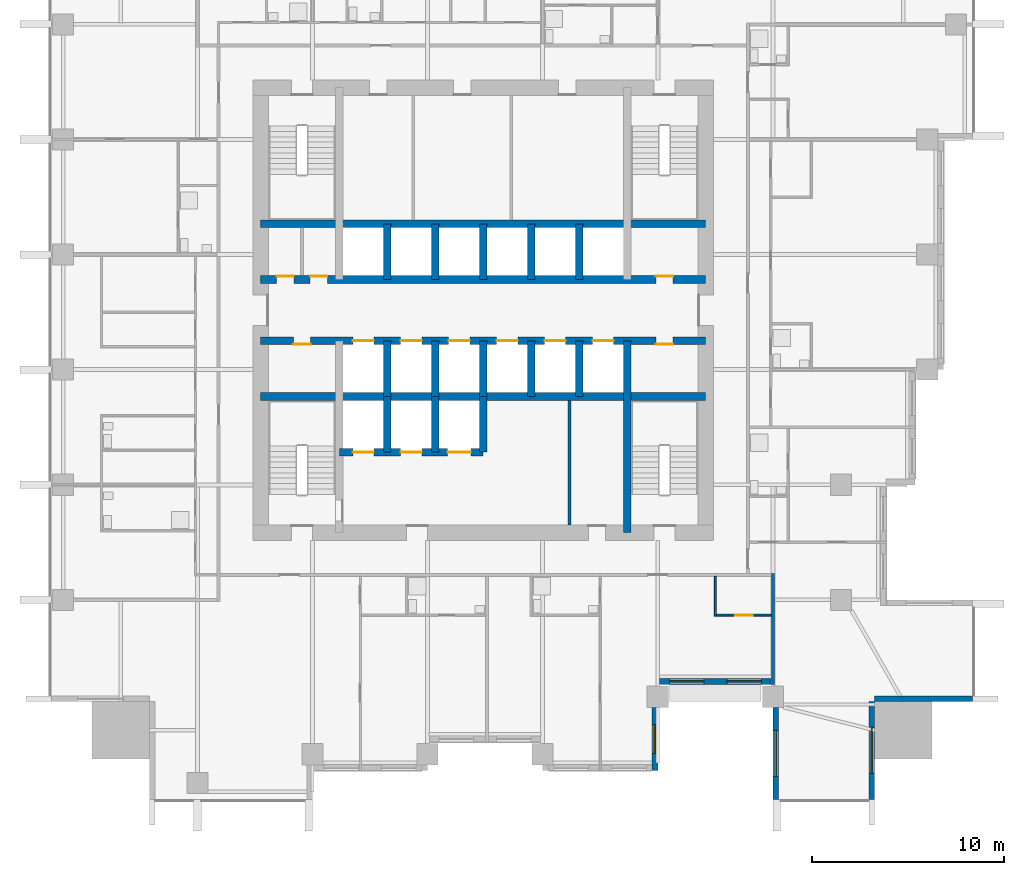
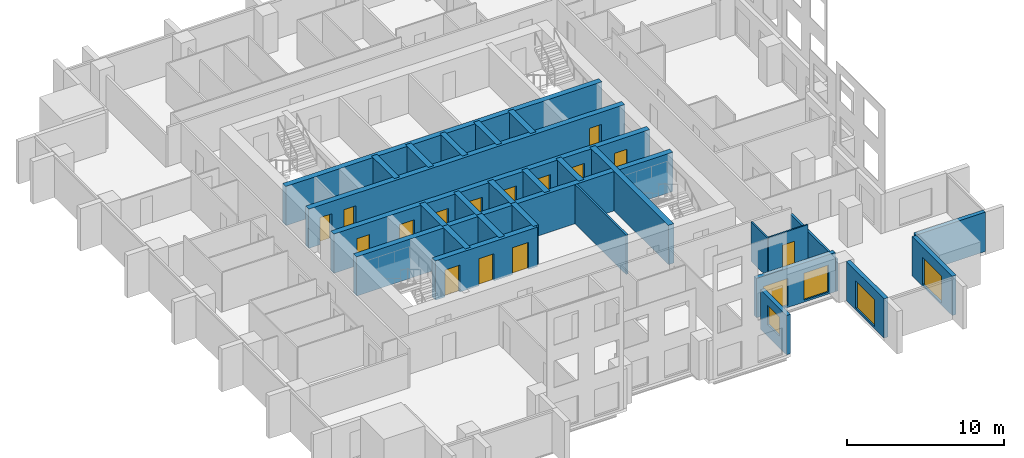
# One storey, part 5 of 11: 28 walls, 15 doors, 5 windows, 20 openings.
"""IFC4 building model written with IfcOpenShell, lengths in metres."""

from ifc_helpers import new_model, si_unit, direction, frame, frame_2d, origin, place, context, subcontext, project, spatial, rectangle, extrude, material, layer, layer_set, type_object, element, fill, save


model = new_model("IFC4")

# Units and contexts
model_context = context("Model", 3, precision=1e-05, world=origin(), true_north=direction((0.0, 1.0)))
body_context = subcontext(model_context, "Body", "Model", "MODEL_VIEW")
ifc_project = project(units=[si_unit("LENGTHUNIT", "METRE"), si_unit("AREAUNIT", "SQUARE_METRE"), si_unit("VOLUMEUNIT", "CUBIC_METRE"), si_unit("PLANEANGLEUNIT", "RADIAN"), si_unit("MASSUNIT", "GRAM", prefix="KILO")], contexts=[model_context])

# Site, building, storey
site_placement = place(None, origin())
site = spatial("IfcSite", under=ifc_project, at=site_placement, CompositionType="ELEMENT")
building_placement = place(site_placement, origin())
building = spatial("IfcBuilding", under=site, at=building_placement, Name="Amberfall Residences", CompositionType="ELEMENT")
storey_placement = place(building_placement, frame((0.0, 0.0, 115.0)))
storey = spatial("IfcBuildingStorey", under=building, at=storey_placement, Name="L31", CompositionType="ELEMENT", Elevation=115.0)

# Wall, opening, window
ifc_material_1 = material(Name="Pale stone cladding on insulated backing", Category="masonry")
ifc_layer_1 = layer(ifc_material_1, 0.300048828125)
ifc_layer_set_1 = layer_set([ifc_layer_1], Name="Bronze clad wall 300")
wall_type_1 = type_object("IfcWallType", Name="Bronze clad wall 300", PredefinedType="SOLIDWALL", material=ifc_layer_set_1)
wall_1_placement = place(storey_placement, frame((83.449951171875, 21.5, 0.0), z_axis=(0.0, 0.0, 1.0), x_axis=(0.0, 1.0, 0.0)))
wall_1 = element("IfcWall", 1, at=wall_1_placement, inside=storey, type_object=wall_type_1, Name="External wall L31 S", PredefinedType="SOLIDWALL", context=body_context, shape_type="SweptSolid", body=[
    extrude(rectangle(XDim=3.300048828125, YDim=0.300048828125, at=frame_2d((1.64990234375, 0.0))), origin(), (0.0, 0.0, 1.0), 3.050048828125),
])
opening_1_placement = place(wall_1_placement, frame((0.89990234375, 0.0, 0.89990234375)))
opening_1 = element("IfcOpeningElement", 2, at=opening_1_placement, cuts=wall_1, Name="Opening WN1", PredefinedType="OPENING", context=body_context, shape_type="SweptSolid", body=[
    extrude(rectangle(XDim=1.5, YDim=1.5, at=frame_2d((0.75, 0.75))), frame((0.0, 0.159912109375, 0.0), z_axis=(0.0, -1.0, 0.0), x_axis=(1.0, 0.0, 0.0)), (0.0, 0.0, 1.0), 0.320068359375),
])
ifc_material_2 = material(Name="Bronze aluminium framed glazing", Category="aluminium")
window_type_1 = type_object("IfcWindowType", Name="Window 1500 x 1500 bronze", PartitioningType="DOUBLE_PANEL_VERTICAL", PredefinedType="WINDOW", material=ifc_material_2)
window_1_placement = place(opening_1_placement, origin())
window_1 = element("IfcWindow", 3, at=window_1_placement, inside=storey, type_object=window_type_1, Name="Window L31 S", OverallHeight=1.5, OverallWidth=1.5, PartitioningType="DOUBLE_PANEL_VERTICAL", PredefinedType="WINDOW", context=body_context, shape_type="SweptSolid", body=[
    extrude(rectangle(XDim=1.5, YDim=1.5, at=frame_2d((0.75, 0.75))), frame((0.0, 0.030029296875, 0.0), z_axis=(0.0, -1.0, 0.0), x_axis=(1.0, 0.0, 0.0)), (0.0, 0.0, 1.0), 0.06005859375),
])
fill(opening_1, window_1)

wall_2_placement = place(storey_placement, frame((89.75, 24.800048828125, 0.0), z_axis=(0.0, 0.0, 1.0), x_axis=(0.0, -1.0, 0.0)))
wall_2 = element("IfcWall", 4, at=wall_2_placement, inside=storey, type_object=wall_type_1, Name="External wall L31 S", PredefinedType="SOLIDWALL", context=body_context, shape_type="SweptSolid", body=[
    extrude(rectangle(XDim=4.800048828125, YDim=0.300048828125, at=frame_2d((2.39990234375, 0.0))), origin(), (0.0, 0.0, 1.0), 3.050048828125),
])
opening_2_placement = place(wall_2_placement, frame((1.199951171875, 0.0, 0.14990234375)))
opening_2 = element("IfcOpeningElement", 5, at=opening_2_placement, cuts=wall_2, Name="Opening WN5", PredefinedType="OPENING", context=body_context, shape_type="SweptSolid", body=[
    extrude(rectangle(XDim=2.39990234375, YDim=2.10009765625, at=frame_2d((1.199951171875, 1.050048828125))), frame((0.0, 0.159912109375, 0.0), z_axis=(0.0, -1.0, 0.0), x_axis=(1.0, 0.0, 0.0)), (0.0, 0.0, 1.0), 0.320068359375),
])
window_type_2 = type_object("IfcWindowType", Name="Glazed opening 2400 x 2100 bronze", PartitioningType="DOUBLE_PANEL_VERTICAL", PredefinedType="WINDOW", material=ifc_material_2)
window_2_placement = place(opening_2_placement, origin())
window_2 = element("IfcWindow", 6, at=window_2_placement, inside=storey, type_object=window_type_2, Name="Window L31 S", OverallHeight=2.10009765625, OverallWidth=2.39990234375, PartitioningType="DOUBLE_PANEL_VERTICAL", PredefinedType="WINDOW", context=body_context, shape_type="SweptSolid", body=[
    extrude(rectangle(XDim=2.39990234375, YDim=2.10009765625, at=frame_2d((1.199951171875, 1.050048828125))), frame((0.0, 0.030029296875, 0.0), z_axis=(0.0, -1.0, 0.0), x_axis=(1.0, 0.0, 0.0)), (0.0, 0.0, 1.0), 0.06005859375),
])
fill(opening_2, window_2)

wall_3_placement = place(storey_placement, frame((94.75, 20.0, 0.0), z_axis=(0.0, 0.0, 1.0), x_axis=(0.0, 1.0, 0.0)))
wall_3 = element("IfcWall", 7, at=wall_3_placement, inside=storey, type_object=wall_type_1, Name="External wall L31 SE", PredefinedType="SOLIDWALL", context=body_context, shape_type="SweptSolid", body=[
    extrude(rectangle(XDim=5.10009765625, YDim=0.300048828125, at=frame_2d((2.550048828125, 0.0))), origin(), (0.0, 0.0, 1.0), 3.050048828125),
])
opening_3_placement = place(wall_3_placement, frame((1.35009765625, 0.0, 0.14990234375)))
opening_3 = element("IfcOpeningElement", 8, at=opening_3_placement, cuts=wall_3, Name="Opening WN5", PredefinedType="OPENING", context=body_context, shape_type="SweptSolid", body=[
    extrude(rectangle(XDim=2.39990234375, YDim=2.10009765625, at=frame_2d((1.199951171875, 1.050048828125))), frame((0.0, 0.159912109375, 0.0), z_axis=(0.0, -1.0, 0.0), x_axis=(1.0, 0.0, 0.0)), (0.0, 0.0, 1.0), 0.320068359375),
])
window_3_placement = place(opening_3_placement, origin())
window_3 = element("IfcWindow", 9, at=window_3_placement, inside=storey, type_object=window_type_2, Name="Window L31 SE", OverallHeight=2.10009765625, OverallWidth=2.39990234375, PartitioningType="DOUBLE_PANEL_VERTICAL", PredefinedType="WINDOW", context=body_context, shape_type="SweptSolid", body=[
    extrude(rectangle(XDim=2.39990234375, YDim=2.10009765625, at=frame_2d((1.199951171875, 1.050048828125))), frame((0.0, 0.030029296875, 0.0), z_axis=(0.0, -1.0, 0.0), x_axis=(1.0, 0.0, 0.0)), (0.0, 0.0, 1.0), 0.06005859375),
])
fill(opening_3, window_3)

# Wall
wall_4_placement = place(storey_placement, frame((94.89990234375, 25.25, 0.0), z_axis=(0.0, 0.0, 1.0), x_axis=(1.0, 0.0, 0.0)))
element("IfcWall", 10, at=wall_4_placement, inside=storey, type_object=wall_type_1, Name="External wall L31 SE", PredefinedType="SOLIDWALL", context=body_context, shape_type="SweptSolid", body=[
    extrude(rectangle(XDim=5.10009765625, YDim=0.300048828125, at=frame_2d((2.550048828125, 0.0))), origin(), (0.0, 0.0, 1.0), 3.050048828125),
])

# Wall, openings, windows
wall_5_placement = place(storey_placement, frame((83.699951171875, 26.14990234375, 0.0), z_axis=(0.0, 0.0, 1.0), x_axis=(1.0, 0.0, 0.0)))
wall_5 = element("IfcWall", 11, at=wall_5_placement, inside=storey, type_object=wall_type_1, Name="Stone wall L31 S", PredefinedType="SOLIDWALL", context=body_context, shape_type="SweptSolid", body=[
    extrude(rectangle(XDim=5.7900390625, YDim=0.300048828125, at=frame_2d((2.89501953125, 0.0))), origin(), (0.0, 0.0, 1.0), 3.050048828125),
])
opening_4_placement = place(wall_5_placement, frame((0.5, 0.0, 0.14990234375)))
opening_4 = element("IfcOpeningElement", 12, at=opening_4_placement, cuts=wall_5, Name="Opening WN6", PredefinedType="OPENING", context=body_context, shape_type="SweptSolid", body=[
    extrude(rectangle(XDim=1.800048828125, YDim=2.10009765625, at=frame_2d((0.89990234375, 1.050048828125))), frame((0.0, 0.159912109375, 0.0), z_axis=(0.0, -1.0, 0.0), x_axis=(1.0, 0.0, 0.0)), (0.0, 0.0, 1.0), 0.320068359375),
])
opening_5_placement = place(wall_5_placement, frame((3.5, 0.0, 0.14990234375)))
opening_5 = element("IfcOpeningElement", 13, at=opening_5_placement, cuts=wall_5, Name="Opening WN6", PredefinedType="OPENING", context=body_context, shape_type="SweptSolid", body=[
    extrude(rectangle(XDim=1.800048828125, YDim=2.10009765625, at=frame_2d((0.89990234375, 1.050048828125))), frame((0.0, 0.159912109375, 0.0), z_axis=(0.0, -1.0, 0.0), x_axis=(1.0, 0.0, 0.0)), (0.0, 0.0, 1.0), 0.320068359375),
])
window_type_3 = type_object("IfcWindowType", Name="Glazed opening 1800 x 2100 bronze", PartitioningType="DOUBLE_PANEL_VERTICAL", PredefinedType="WINDOW", material=ifc_material_2)
window_4_placement = place(opening_4_placement, origin())
window_4 = element("IfcWindow", 14, at=window_4_placement, inside=storey, type_object=window_type_3, Name="Window L31 S", OverallHeight=2.10009765625, OverallWidth=1.800048828125, PartitioningType="DOUBLE_PANEL_VERTICAL", PredefinedType="WINDOW", context=body_context, shape_type="SweptSolid", body=[
    extrude(rectangle(XDim=1.800048828125, YDim=2.10009765625, at=frame_2d((0.89990234375, 1.050048828125))), frame((0.0, 0.030029296875, 0.0), z_axis=(0.0, -1.0, 0.0), x_axis=(1.0, 0.0, 0.0)), (0.0, 0.0, 1.0), 0.06005859375),
])
fill(opening_4, window_4)
window_5_placement = place(opening_5_placement, origin())
window_5 = element("IfcWindow", 15, at=window_5_placement, inside=storey, type_object=window_type_3, Name="Window L31 S", OverallHeight=2.10009765625, OverallWidth=1.800048828125, PartitioningType="DOUBLE_PANEL_VERTICAL", PredefinedType="WINDOW", context=body_context, shape_type="SweptSolid", body=[
    extrude(rectangle(XDim=1.800048828125, YDim=2.10009765625, at=frame_2d((0.89990234375, 1.050048828125))), frame((0.0, 0.030029296875, 0.0), z_axis=(0.0, -1.0, 0.0), x_axis=(1.0, 0.0, 0.0)), (0.0, 0.0, 1.0), 0.06005859375),
])
fill(opening_5, window_5)

# Wall
ifc_material_3 = material(Name="Concrete C70", Category="concrete")
ifc_layer_2 = layer(ifc_material_3, 0.39990234375)
ifc_layer_set_2 = layer_set([ifc_layer_2], Name="Core wall 400 C70")
wall_type_2 = type_object("IfcWallType", Name="Core wall 400 C70", PredefinedType="SHEAR", material=ifc_layer_set_2)
wall_6_placement = place(storey_placement, frame((62.89990234375, 41.0, 0.0), z_axis=(0.0, 0.0, 1.0), x_axis=(1.0, 0.0, 0.0)))
element("IfcWall", 16, at=wall_6_placement, inside=storey, type_object=wall_type_2, Name="Core wall RW4 L31 H75", PredefinedType="SHEAR", context=body_context, shape_type="SweptSolid", body=[
    extrude(rectangle(XDim=23.2001953125, YDim=0.39990234375, at=frame_2d((11.60009765625, 0.0))), origin(), (0.0, 0.0, 1.0), 3.050048828125),
])

# Wall, openings, doors
wall_7_placement = place(storey_placement, frame((62.89990234375, 43.89990234375, 0.0), z_axis=(0.0, 0.0, 1.0), x_axis=(1.0, 0.0, 0.0)))
wall_7 = element("IfcWall", 17, at=wall_7_placement, inside=storey, type_object=wall_type_2, Name="Core wall RW4 L31 H104", PredefinedType="SHEAR", context=body_context, shape_type="SweptSolid", body=[
    extrude(rectangle(XDim=23.2001953125, YDim=0.39990234375, at=frame_2d((11.60009765625, 0.0))), origin(), (0.0, 0.0, 1.0), 3.050048828125),
])
opening_6_placement = place(wall_7_placement, frame((1.699951171875, 0.0, 0.0)))
opening_6 = element("IfcOpeningElement", 18, at=opening_6_placement, cuts=wall_7, Name="Opening RD1", PredefinedType="OPENING", context=body_context, shape_type="SweptSolid", body=[
    extrude(rectangle(XDim=0.89990234375, YDim=2.10009765625, at=frame_2d((0.449951171875, 1.050048828125))), frame((0.0, 0.2099609375, 0.0), z_axis=(0.0, -1.0, 0.0), x_axis=(1.0, 0.0, 0.0)), (0.0, 0.0, 1.0), 0.419921875),
])
opening_7_placement = place(wall_7_placement, frame((20.60009765625, 0.0, 0.0)))
opening_7 = element("IfcOpeningElement", 19, at=opening_7_placement, cuts=wall_7, Name="Opening RD1", PredefinedType="OPENING", context=body_context, shape_type="SweptSolid", body=[
    extrude(rectangle(XDim=0.89990234375, YDim=2.10009765625, at=frame_2d((0.449951171875, 1.050048828125))), frame((0.0, 0.2099609375, 0.0), z_axis=(0.0, -1.0, 0.0), x_axis=(1.0, 0.0, 0.0)), (0.0, 0.0, 1.0), 0.419921875),
])
opening_8_placement = place(wall_7_placement, frame((4.800048828125, 0.0, 0.0)))
opening_8 = element("IfcOpeningElement", 20, at=opening_8_placement, cuts=wall_7, Name="Opening LD1", PredefinedType="OPENING", context=body_context, shape_type="SweptSolid", body=[
    extrude(rectangle(XDim=1.10009765625, YDim=2.10009765625, at=frame_2d((0.550048828125, 1.050048828125))), frame((0.0, 0.2099609375, 0.0), z_axis=(0.0, -1.0, 0.0), x_axis=(1.0, 0.0, 0.0)), (0.0, 0.0, 1.0), 0.419921875),
])
opening_9_placement = place(wall_7_placement, frame((7.300048828125, 0.0, 0.0)))
opening_9 = element("IfcOpeningElement", 21, at=opening_9_placement, cuts=wall_7, Name="Opening LD1", PredefinedType="OPENING", context=body_context, shape_type="SweptSolid", body=[
    extrude(rectangle(XDim=1.10009765625, YDim=2.10009765625, at=frame_2d((0.550048828125, 1.050048828125))), frame((0.0, 0.2099609375, 0.0), z_axis=(0.0, -1.0, 0.0), x_axis=(1.0, 0.0, 0.0)), (0.0, 0.0, 1.0), 0.419921875),
])
opening_10_placement = place(wall_7_placement, frame((9.800048828125, 0.0, 0.0)))
opening_10 = element("IfcOpeningElement", 22, at=opening_10_placement, cuts=wall_7, Name="Opening LD1", PredefinedType="OPENING", context=body_context, shape_type="SweptSolid", body=[
    extrude(rectangle(XDim=1.10009765625, YDim=2.10009765625, at=frame_2d((0.550048828125, 1.050048828125))), frame((0.0, 0.2099609375, 0.0), z_axis=(0.0, -1.0, 0.0), x_axis=(1.0, 0.0, 0.0)), (0.0, 0.0, 1.0), 0.419921875),
])
opening_11_placement = place(wall_7_placement, frame((12.300048828125, 0.0, 0.0)))
opening_11 = element("IfcOpeningElement", 23, at=opening_11_placement, cuts=wall_7, Name="Opening LD1", PredefinedType="OPENING", context=body_context, shape_type="SweptSolid", body=[
    extrude(rectangle(XDim=1.10009765625, YDim=2.10009765625, at=frame_2d((0.550048828125, 1.050048828125))), frame((0.0, 0.2099609375, 0.0), z_axis=(0.0, -1.0, 0.0), x_axis=(1.0, 0.0, 0.0)), (0.0, 0.0, 1.0), 0.419921875),
])
opening_12_placement = place(wall_7_placement, frame((14.800048828125, 0.0, 0.0)))
opening_12 = element("IfcOpeningElement", 24, at=opening_12_placement, cuts=wall_7, Name="Opening LD1", PredefinedType="OPENING", context=body_context, shape_type="SweptSolid", body=[
    extrude(rectangle(XDim=1.10009765625, YDim=2.10009765625, at=frame_2d((0.550048828125, 1.050048828125))), frame((0.0, 0.2099609375, 0.0), z_axis=(0.0, -1.0, 0.0), x_axis=(1.0, 0.0, 0.0)), (0.0, 0.0, 1.0), 0.419921875),
])
opening_13_placement = place(wall_7_placement, frame((17.300048828125, 0.0, 0.0)))
opening_13 = element("IfcOpeningElement", 25, at=opening_13_placement, cuts=wall_7, Name="Opening LD1", PredefinedType="OPENING", context=body_context, shape_type="SweptSolid", body=[
    extrude(rectangle(XDim=1.10009765625, YDim=2.10009765625, at=frame_2d((0.550048828125, 1.050048828125))), frame((0.0, 0.2099609375, 0.0), z_axis=(0.0, -1.0, 0.0), x_axis=(1.0, 0.0, 0.0)), (0.0, 0.0, 1.0), 0.419921875),
])
ifc_material_4 = material(Name="Steel fire door set", Category="steel")
door_type_1 = type_object("IfcDoorType", Name="Lift landing door 1100 x 2100", OperationType="DOUBLE_DOOR_SLIDING", PredefinedType="DOOR", material=ifc_material_4)
door_1_placement = place(opening_8_placement, origin())
door_1 = element("IfcDoor", 26, at=door_1_placement, inside=storey, type_object=door_type_1, Name="Landing door LP1 L31", OperationType="DOUBLE_DOOR_SLIDING", OverallHeight=2.10009765625, OverallWidth=1.10009765625, PredefinedType="DOOR", context=body_context, shape_type="SweptSolid", body=[
    extrude(rectangle(XDim=1.10009765625, YDim=2.10009765625, at=frame_2d((0.550048828125, 1.050048828125))), frame((0.0, 0.02490234375, 0.0), z_axis=(0.0, -1.0, 0.0), x_axis=(1.0, 0.0, 0.0)), (0.0, 0.0, 1.0), 0.050048828125),
])
fill(opening_8, door_1)
door_2_placement = place(opening_9_placement, origin())
door_2 = element("IfcDoor", 27, at=door_2_placement, inside=storey, type_object=door_type_1, Name="Landing door LP2 L31", OperationType="DOUBLE_DOOR_SLIDING", OverallHeight=2.10009765625, OverallWidth=1.10009765625, PredefinedType="DOOR", context=body_context, shape_type="SweptSolid", body=[
    extrude(rectangle(XDim=1.10009765625, YDim=2.10009765625, at=frame_2d((0.550048828125, 1.050048828125))), frame((0.0, 0.02490234375, 0.0), z_axis=(0.0, -1.0, 0.0), x_axis=(1.0, 0.0, 0.0)), (0.0, 0.0, 1.0), 0.050048828125),
])
fill(opening_9, door_2)
door_3_placement = place(opening_10_placement, origin())
door_3 = element("IfcDoor", 28, at=door_3_placement, inside=storey, type_object=door_type_1, Name="Landing door LP3 L31", OperationType="DOUBLE_DOOR_SLIDING", OverallHeight=2.10009765625, OverallWidth=1.10009765625, PredefinedType="DOOR", context=body_context, shape_type="SweptSolid", body=[
    extrude(rectangle(XDim=1.10009765625, YDim=2.10009765625, at=frame_2d((0.550048828125, 1.050048828125))), frame((0.0, 0.02490234375, 0.0), z_axis=(0.0, -1.0, 0.0), x_axis=(1.0, 0.0, 0.0)), (0.0, 0.0, 1.0), 0.050048828125),
])
fill(opening_10, door_3)
door_4_placement = place(opening_11_placement, origin())
door_4 = element("IfcDoor", 29, at=door_4_placement, inside=storey, type_object=door_type_1, Name="Landing door LP4 L31", OperationType="DOUBLE_DOOR_SLIDING", OverallHeight=2.10009765625, OverallWidth=1.10009765625, PredefinedType="DOOR", context=body_context, shape_type="SweptSolid", body=[
    extrude(rectangle(XDim=1.10009765625, YDim=2.10009765625, at=frame_2d((0.550048828125, 1.050048828125))), frame((0.0, 0.02490234375, 0.0), z_axis=(0.0, -1.0, 0.0), x_axis=(1.0, 0.0, 0.0)), (0.0, 0.0, 1.0), 0.050048828125),
])
fill(opening_11, door_4)
door_5_placement = place(opening_12_placement, origin())
door_5 = element("IfcDoor", 30, at=door_5_placement, inside=storey, type_object=door_type_1, Name="Landing door LP5 L31", OperationType="DOUBLE_DOOR_SLIDING", OverallHeight=2.10009765625, OverallWidth=1.10009765625, PredefinedType="DOOR", context=body_context, shape_type="SweptSolid", body=[
    extrude(rectangle(XDim=1.10009765625, YDim=2.10009765625, at=frame_2d((0.550048828125, 1.050048828125))), frame((0.0, 0.02490234375, 0.0), z_axis=(0.0, -1.0, 0.0), x_axis=(1.0, 0.0, 0.0)), (0.0, 0.0, 1.0), 0.050048828125),
])
fill(opening_12, door_5)
door_6_placement = place(opening_13_placement, origin())
door_6 = element("IfcDoor", 31, at=door_6_placement, inside=storey, type_object=door_type_1, Name="Landing door LP6 L31", OperationType="DOUBLE_DOOR_SLIDING", OverallHeight=2.10009765625, OverallWidth=1.10009765625, PredefinedType="DOOR", context=body_context, shape_type="SweptSolid", body=[
    extrude(rectangle(XDim=1.10009765625, YDim=2.10009765625, at=frame_2d((0.550048828125, 1.050048828125))), frame((0.0, 0.02490234375, 0.0), z_axis=(0.0, -1.0, 0.0), x_axis=(1.0, 0.0, 0.0)), (0.0, 0.0, 1.0), 0.050048828125),
])
fill(opening_13, door_6)
door_type_2 = type_object("IfcDoorType", Name="Service room door 900 x 2100", OperationType="SINGLE_SWING_LEFT", PredefinedType="DOOR", material=ifc_material_4)
door_7_placement = place(opening_6_placement, origin())
door_7 = element("IfcDoor", 32, at=door_7_placement, inside=storey, type_object=door_type_2, Name="RD1 L31", OperationType="SINGLE_SWING_LEFT", OverallHeight=2.10009765625, OverallWidth=0.89990234375, PredefinedType="DOOR", context=body_context, shape_type="SweptSolid", body=[
    extrude(rectangle(XDim=0.89990234375, YDim=2.10009765625, at=frame_2d((0.449951171875, 1.050048828125))), frame((0.0, -0.1376953125, 0.0), z_axis=(0.0, -1.0, 0.0), x_axis=(1.0, 0.0, 0.0)), (0.0, 0.0, 1.0), 0.050048828125),
])
fill(opening_6, door_7)
door_8_placement = place(opening_7_placement, origin())
door_8 = element("IfcDoor", 33, at=door_8_placement, inside=storey, type_object=door_type_2, Name="RD1 L31", OperationType="SINGLE_SWING_LEFT", OverallHeight=2.10009765625, OverallWidth=0.89990234375, PredefinedType="DOOR", context=body_context, shape_type="SweptSolid", body=[
    extrude(rectangle(XDim=0.89990234375, YDim=2.10009765625, at=frame_2d((0.449951171875, 1.050048828125))), frame((0.0, -0.1376953125, 0.0), z_axis=(0.0, -1.0, 0.0), x_axis=(1.0, 0.0, 0.0)), (0.0, 0.0, 1.0), 0.050048828125),
])
fill(opening_7, door_8)

wall_8_placement = place(storey_placement, frame((62.89990234375, 47.10009765625, 0.0), z_axis=(0.0, 0.0, 1.0), x_axis=(1.0, 0.0, 0.0)))
wall_8 = element("IfcWall", 34, at=wall_8_placement, inside=storey, type_object=wall_type_2, Name="Core wall RW4 L31 H136", PredefinedType="SHEAR", context=body_context, shape_type="SweptSolid", body=[
    extrude(rectangle(XDim=23.2001953125, YDim=0.39990234375, at=frame_2d((11.60009765625, 0.0))), origin(), (0.0, 0.0, 1.0), 3.050048828125),
])
opening_14_placement = place(wall_8_placement, frame((0.824951171875, 0.0, 0.0)))
opening_14 = element("IfcOpeningElement", 35, at=opening_14_placement, cuts=wall_8, Name="Opening RD1", PredefinedType="OPENING", context=body_context, shape_type="SweptSolid", body=[
    extrude(rectangle(XDim=0.89990234375, YDim=2.10009765625, at=frame_2d((0.449951171875, 1.050048828125))), frame((0.0, 0.2099609375, 0.0), z_axis=(0.0, -1.0, 0.0), x_axis=(1.0, 0.0, 0.0)), (0.0, 0.0, 1.0), 0.419921875),
])
opening_15_placement = place(wall_8_placement, frame((2.574951171875, 0.0, 0.0)))
opening_15 = element("IfcOpeningElement", 36, at=opening_15_placement, cuts=wall_8, Name="Opening RD1", PredefinedType="OPENING", context=body_context, shape_type="SweptSolid", body=[
    extrude(rectangle(XDim=0.89990234375, YDim=2.10009765625, at=frame_2d((0.449951171875, 1.050048828125))), frame((0.0, 0.2099609375, 0.0), z_axis=(0.0, -1.0, 0.0), x_axis=(1.0, 0.0, 0.0)), (0.0, 0.0, 1.0), 0.419921875),
])
opening_16_placement = place(wall_8_placement, frame((20.60009765625, 0.0, 0.0)))
opening_16 = element("IfcOpeningElement", 37, at=opening_16_placement, cuts=wall_8, Name="Opening RD1", PredefinedType="OPENING", context=body_context, shape_type="SweptSolid", body=[
    extrude(rectangle(XDim=0.89990234375, YDim=2.10009765625, at=frame_2d((0.449951171875, 1.050048828125))), frame((0.0, 0.2099609375, 0.0), z_axis=(0.0, -1.0, 0.0), x_axis=(1.0, 0.0, 0.0)), (0.0, 0.0, 1.0), 0.419921875),
])
door_9_placement = place(opening_14_placement, origin())
door_9 = element("IfcDoor", 38, at=door_9_placement, inside=storey, type_object=door_type_2, Name="RD1 L31", OperationType="SINGLE_SWING_LEFT", OverallHeight=2.10009765625, OverallWidth=0.89990234375, PredefinedType="DOOR", context=body_context, shape_type="SweptSolid", body=[
    extrude(rectangle(XDim=0.89990234375, YDim=2.10009765625, at=frame_2d((0.449951171875, 1.050048828125))), frame((0.0, 0.1875, 0.0), z_axis=(0.0, -1.0, 0.0), x_axis=(1.0, 0.0, 0.0)), (0.0, 0.0, 1.0), 0.050048828125),
])
fill(opening_14, door_9)
door_10_placement = place(opening_15_placement, origin())
door_10 = element("IfcDoor", 39, at=door_10_placement, inside=storey, type_object=door_type_2, Name="RD1 L31", OperationType="SINGLE_SWING_RIGHT", OverallHeight=2.10009765625, OverallWidth=0.89990234375, PredefinedType="DOOR", context=body_context, shape_type="SweptSolid", body=[
    extrude(rectangle(XDim=0.89990234375, YDim=2.10009765625, at=frame_2d((0.449951171875, 1.050048828125))), frame((0.0, 0.1875, 0.0), z_axis=(0.0, -1.0, 0.0), x_axis=(1.0, 0.0, 0.0)), (0.0, 0.0, 1.0), 0.050048828125),
])
fill(opening_15, door_10)
door_11_placement = place(opening_16_placement, origin())
door_11 = element("IfcDoor", 40, at=door_11_placement, inside=storey, type_object=door_type_2, Name="RD1 L31", OperationType="SINGLE_SWING_LEFT", OverallHeight=2.10009765625, OverallWidth=0.89990234375, PredefinedType="DOOR", context=body_context, shape_type="SweptSolid", body=[
    extrude(rectangle(XDim=0.89990234375, YDim=2.10009765625, at=frame_2d((0.449951171875, 1.050048828125))), frame((0.0, 0.1875, 0.0), z_axis=(0.0, -1.0, 0.0), x_axis=(1.0, 0.0, 0.0)), (0.0, 0.0, 1.0), 0.050048828125),
])
fill(opening_16, door_11)

# Walls
wall_9_placement = place(storey_placement, frame((62.89990234375, 50.0, 0.0), z_axis=(0.0, 0.0, 1.0), x_axis=(1.0, 0.0, 0.0)))
element("IfcWall", 41, at=wall_9_placement, inside=storey, type_object=wall_type_2, Name="Core wall RW4 L31 H165", PredefinedType="SHEAR", context=body_context, shape_type="SweptSolid", body=[
    extrude(rectangle(XDim=23.2001953125, YDim=0.39990234375, at=frame_2d((11.60009765625, 0.0))), origin(), (0.0, 0.0, 1.0), 3.050048828125),
])
wall_10_placement = place(storey_placement, frame((82.0, 33.89990234375, 0.0), z_axis=(0.0, 0.0, 1.0), x_axis=(0.0, 1.0, 0.0)))
element("IfcWall", 42, at=wall_10_placement, inside=storey, type_object=wall_type_2, Name="Core wall RW4 L31 V195S", PredefinedType="SHEAR", context=body_context, shape_type="SweptSolid", body=[
    extrude(rectangle(XDim=10.0, YDim=0.39990234375, at=frame_2d((5.0, 0.0))), origin(), (0.0, 0.0, 1.0), 3.050048828125),
])
for number, where, z_axis, x_axis, name in (
    (43, (69.5, 41.0, 0.0), (0.0, 0.0, 1.0), (0.0, 1.0, 0.0), "Core wall RW4 L31 LPD1"),
    (44, (69.5, 47.10009765625, 0.0), (0.0, 0.0, 1.0), (0.0, 1.0, 0.0), "Core wall RW4 L31 HPD1"),
    (45, (72.0, 41.0, 0.0), (0.0, 0.0, 1.0), (0.0, 1.0, 0.0), "Core wall RW4 L31 LPD2"),
    (46, (72.0, 47.10009765625, 0.0), (0.0, 0.0, 1.0), (0.0, 1.0, 0.0), "Core wall RW4 L31 HPD2"),
    (47, (74.5, 41.0, 0.0), (0.0, 0.0, 1.0), (0.0, 1.0, 0.0), "Core wall RW4 L31 LPD3"),
    (48, (74.5, 47.10009765625, 0.0), (0.0, 0.0, 1.0), (0.0, 1.0, 0.0), "Core wall RW4 L31 HPD3"),
    (49, (77.0, 41.0, 0.0), (0.0, 0.0, 1.0), (0.0, 1.0, 0.0), "Core wall RW4 L31 LPD4"),
    (50, (77.0, 47.10009765625, 0.0), (0.0, 0.0, 1.0), (0.0, 1.0, 0.0), "Core wall RW4 L31 HPD4"),
    (51, (79.5, 41.0, 0.0), (0.0, 0.0, 1.0), (0.0, 1.0, 0.0), "Core wall RW4 L31 LPD5"),
    (52, (79.5, 47.10009765625, 0.0), (0.0, 0.0, 1.0), (0.0, 1.0, 0.0), "Core wall RW4 L31 HPD5"),
):
    element("IfcWall", number, at=place(storey_placement, frame(where, z_axis=z_axis, x_axis=x_axis)), inside=storey, type_object=wall_type_2, Name=name, PredefinedType="SHEAR", context=body_context, shape_type="SweptSolid", body=[
        extrude(rectangle(XDim=2.89990234375, YDim=0.39990234375, at=frame_2d((1.449951171875, 0.0))), origin(), (0.0, 0.0, 1.0), 3.050048828125),
    ])

# Wall, openings, doors
wall_11_placement = place(storey_placement, frame((67.0, 38.10009765625, 0.0), z_axis=(0.0, 0.0, 1.0), x_axis=(1.0, 0.0, 0.0)))
wall_11 = element("IfcWall", 53, at=wall_11_placement, inside=storey, type_object=wall_type_2, Name="Core wall RW4 L31 FFF", PredefinedType="SHEAR", context=body_context, shape_type="SweptSolid", body=[
    extrude(rectangle(XDim=7.5, YDim=0.39990234375, at=frame_2d((3.75, 0.0))), origin(), (0.0, 0.0, 1.0), 3.050048828125),
])
opening_17_placement = place(wall_11_placement, frame((0.699951171875, 0.0, 0.0)))
opening_17 = element("IfcOpeningElement", 54, at=opening_17_placement, cuts=wall_11, Name="Opening LD2", PredefinedType="OPENING", context=body_context, shape_type="SweptSolid", body=[
    extrude(rectangle(XDim=1.10009765625, YDim=2.10009765625, at=frame_2d((0.550048828125, 1.050048828125))), frame((0.0, 0.2099609375, 0.0), z_axis=(0.0, -1.0, 0.0), x_axis=(1.0, 0.0, 0.0)), (0.0, 0.0, 1.0), 0.419921875),
])
opening_18_placement = place(wall_11_placement, frame((3.199951171875, 0.0, 0.0)))
opening_18 = element("IfcOpeningElement", 55, at=opening_18_placement, cuts=wall_11, Name="Opening LD2", PredefinedType="OPENING", context=body_context, shape_type="SweptSolid", body=[
    extrude(rectangle(XDim=1.10009765625, YDim=2.10009765625, at=frame_2d((0.550048828125, 1.050048828125))), frame((0.0, 0.2099609375, 0.0), z_axis=(0.0, -1.0, 0.0), x_axis=(1.0, 0.0, 0.0)), (0.0, 0.0, 1.0), 0.419921875),
])
opening_19_placement = place(wall_11_placement, frame((5.64990234375, 0.0, 0.0)))
opening_19 = element("IfcOpeningElement", 56, at=opening_19_placement, cuts=wall_11, Name="Opening LD3", PredefinedType="OPENING", context=body_context, shape_type="SweptSolid", body=[
    extrude(rectangle(XDim=1.199951171875, YDim=2.10009765625, at=frame_2d((0.60009765625, 1.050048828125))), frame((0.0, 0.2099609375, 0.0), z_axis=(0.0, -1.0, 0.0), x_axis=(1.0, 0.0, 0.0)), (0.0, 0.0, 1.0), 0.419921875),
])
door_type_3 = type_object("IfcDoorType", Name="Firefighting lift landing door 1100 x 2100", OperationType="DOUBLE_DOOR_SLIDING", PredefinedType="DOOR", material=ifc_material_4)
door_12_placement = place(opening_17_placement, origin())
door_12 = element("IfcDoor", 57, at=door_12_placement, inside=storey, type_object=door_type_3, Name="Landing door FF1 L31", OperationType="DOUBLE_DOOR_SLIDING", OverallHeight=2.10009765625, OverallWidth=1.10009765625, PredefinedType="DOOR", context=body_context, shape_type="SweptSolid", body=[
    extrude(rectangle(XDim=1.10009765625, YDim=2.10009765625, at=frame_2d((0.550048828125, 1.050048828125))), frame((0.0, 0.02490234375, 0.0), z_axis=(0.0, -1.0, 0.0), x_axis=(1.0, 0.0, 0.0)), (0.0, 0.0, 1.0), 0.050048828125),
])
fill(opening_17, door_12)
door_13_placement = place(opening_18_placement, origin())
door_13 = element("IfcDoor", 58, at=door_13_placement, inside=storey, type_object=door_type_3, Name="Landing door FF2 L31", OperationType="DOUBLE_DOOR_SLIDING", OverallHeight=2.10009765625, OverallWidth=1.10009765625, PredefinedType="DOOR", context=body_context, shape_type="SweptSolid", body=[
    extrude(rectangle(XDim=1.10009765625, YDim=2.10009765625, at=frame_2d((0.550048828125, 1.050048828125))), frame((0.0, 0.02490234375, 0.0), z_axis=(0.0, -1.0, 0.0), x_axis=(1.0, 0.0, 0.0)), (0.0, 0.0, 1.0), 0.050048828125),
])
fill(opening_18, door_13)
door_type_4 = type_object("IfcDoorType", Name="Service lift landing door 1200 x 2100", OperationType="DOUBLE_DOOR_SLIDING", PredefinedType="DOOR", material=ifc_material_4)
door_14_placement = place(opening_19_placement, origin())
door_14 = element("IfcDoor", 59, at=door_14_placement, inside=storey, type_object=door_type_4, Name="Landing door SL1 L31", OperationType="DOUBLE_DOOR_SLIDING", OverallHeight=2.10009765625, OverallWidth=1.199951171875, PredefinedType="DOOR", context=body_context, shape_type="SweptSolid", body=[
    extrude(rectangle(XDim=1.199951171875, YDim=2.10009765625, at=frame_2d((0.60009765625, 1.050048828125))), frame((0.0, 0.02490234375, 0.0), z_axis=(0.0, -1.0, 0.0), x_axis=(1.0, 0.0, 0.0)), (0.0, 0.0, 1.0), 0.050048828125),
])
fill(opening_19, door_14)

# Walls
for number, where, z_axis, x_axis, name in (
    (60, (69.5, 38.10009765625, 0.0), (0.0, 0.0, 1.0), (0.0, 1.0, 0.0), "Core wall RW4 L31 FFD1"),
    (61, (72.0, 38.10009765625, 0.0), (0.0, 0.0, 1.0), (0.0, 1.0, 0.0), "Core wall RW4 L31 FFD2"),
    (62, (74.5, 38.10009765625, 0.0), (0.0, 0.0, 1.0), (0.0, 1.0, 0.0), "Core wall RW4 L31 FFD3"),
):
    element("IfcWall", number, at=place(storey_placement, frame(where, z_axis=z_axis, x_axis=x_axis)), inside=storey, type_object=wall_type_2, Name=name, PredefinedType="SHEAR", context=body_context, shape_type="SweptSolid", body=[
        extrude(rectangle(XDim=2.89990234375, YDim=0.39990234375, at=frame_2d((1.449951171875, 0.0))), origin(), (0.0, 0.0, 1.0), 3.050048828125),
    ])
ifc_material_5 = material(Name="Gypsum board on metal stud")
ifc_layer_3 = layer(ifc_material_5, 0.10009765625)
ifc_layer_set_3 = layer_set([ifc_layer_3], Name="Flat partition 100")
wall_type_3 = type_object("IfcWallType", Name="Flat partition 100", PredefinedType="PARTITIONING", material=ifc_layer_set_3)
wall_12_placement = place(storey_placement, frame((86.60009765625, 29.550048828125, 0.0), z_axis=(0.0, 0.0, 1.0), x_axis=(0.0, 1.0, 0.0)))
element("IfcWall", 63, at=wall_12_placement, inside=storey, type_object=wall_type_3, Name="Partition 018", PredefinedType="PARTITIONING", context=body_context, shape_type="SweptSolid", body=[
    extrude(rectangle(XDim=2.074951171875, YDim=0.10009765625, at=frame_2d((1.03759765625, 0.0))), origin(), (0.0, 0.0, 1.0), 3.050048828125),
])

# Wall, opening, door
wall_13_placement = place(storey_placement, frame((86.64990234375, 29.60009765625, 0.0), z_axis=(0.0, 0.0, 1.0), x_axis=(1.0, 0.0, 0.0)))
wall_13 = element("IfcWall", 64, at=wall_13_placement, inside=storey, type_object=wall_type_3, Name="Partition 047", PredefinedType="PARTITIONING", context=body_context, shape_type="SweptSolid", body=[
    extrude(rectangle(XDim=2.875, YDim=0.10009765625, at=frame_2d((1.4375, 0.0))), origin(), (0.0, 0.0, 1.0), 3.050048828125),
])
opening_20_placement = place(wall_13_placement, frame((1.0, 0.0, 0.0)))
opening_20 = element("IfcOpeningElement", 65, at=opening_20_placement, cuts=wall_13, Name="Opening D41", PredefinedType="OPENING", context=body_context, shape_type="SweptSolid", body=[
    extrude(rectangle(XDim=0.89990234375, YDim=2.10009765625, at=frame_2d((0.449951171875, 1.050048828125))), frame((0.0, 0.06005859375, 0.0), z_axis=(0.0, -1.0, 0.0), x_axis=(1.0, 0.0, 0.0)), (0.0, 0.0, 1.0), 0.1201171875),
])
ifc_material_6 = material(Name="Timber", Category="wood")
door_type_5 = type_object("IfcDoorType", Name="Internal door 900 x 2100", OperationType="SINGLE_SWING_LEFT", PredefinedType="DOOR", material=ifc_material_6)
door_15_placement = place(opening_20_placement, origin())
door_15 = element("IfcDoor", 66, at=door_15_placement, inside=storey, type_object=door_type_5, Name="Door 3102 kitchen", OperationType="SINGLE_SWING_LEFT", OverallHeight=2.10009765625, OverallWidth=0.89990234375, PredefinedType="DOOR", context=body_context, shape_type="SweptSolid", body=[
    extrude(rectangle(XDim=0.89990234375, YDim=2.10009765625, at=frame_2d((0.449951171875, 1.050048828125))), frame((0.0, 0.02490234375, 0.0), z_axis=(0.0, -1.0, 0.0), x_axis=(1.0, 0.0, 0.0)), (0.0, 0.0, 1.0), 0.050048828125),
])
fill(opening_20, door_15)

# Walls
ifc_material_7 = material(Name="Blockwork, plastered", Category="masonry")
ifc_layer_4 = layer(ifc_material_7, 0.14990234375)
ifc_layer_set_4 = layer_set([ifc_layer_4], Name="Flat separating wall 150")
wall_type_4 = type_object("IfcWallType", Name="Flat separating wall 150", PredefinedType="PARTITIONING", material=ifc_layer_set_4)
wall_14_placement = place(storey_placement, frame((89.60009765625, 26.0, 0.0), z_axis=(0.0, 0.0, 1.0), x_axis=(0.0, 1.0, 0.0)))
element("IfcWall", 67, at=wall_14_placement, inside=storey, type_object=wall_type_4, Name="Separating wall 053", PredefinedType="PARTITIONING", context=body_context, shape_type="SweptSolid", body=[
    extrude(rectangle(XDim=5.77490234375, YDim=0.14990234375, at=frame_2d((2.887451171875, 0.0))), origin(), (0.0, 0.0, 1.0), 2.51611328125),
])
ifc_material_8 = material(Name="Concrete blockwork", Category="masonry")
ifc_layer_5 = layer(ifc_material_8, 0.14990234375)
ifc_layer_set_5 = layer_set([ifc_layer_5], Name="Riser wall 150")
wall_type_5 = type_object("IfcWallType", Name="Riser wall 150", PredefinedType="PLUMBINGWALL", material=ifc_layer_set_5)
wall_15_placement = place(storey_placement, frame((79.0, 34.300048828125, 0.0), z_axis=(0.0, 0.0, 1.0), x_axis=(0.0, 1.0, 0.0)))
element("IfcWall", 68, at=wall_15_placement, inside=storey, type_object=wall_type_5, Name="L31 core wall PX", PredefinedType="PLUMBINGWALL", context=body_context, shape_type="SweptSolid", body=[
    extrude(rectangle(XDim=6.5, YDim=0.14990234375, at=frame_2d((3.25, 0.0))), origin(), (0.0, 0.0, 1.0), 3.050048828125),
])

save(model, "model.ifc")
